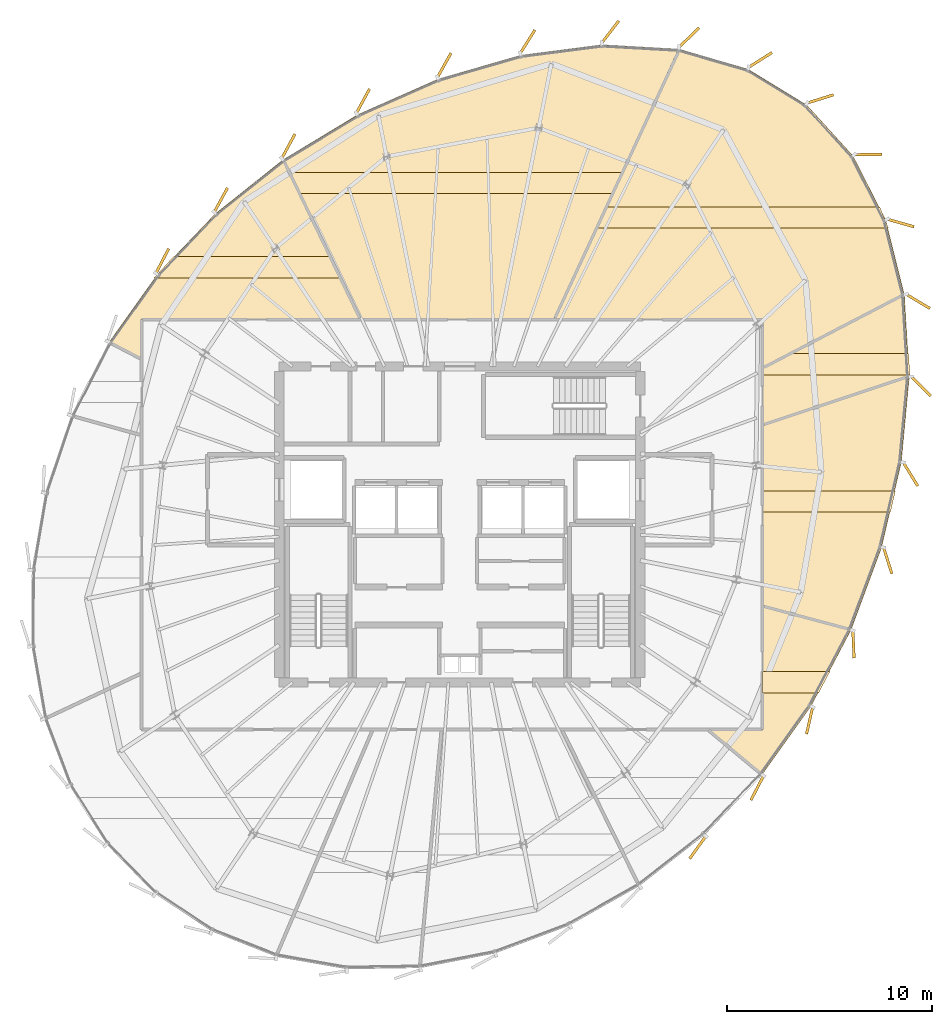
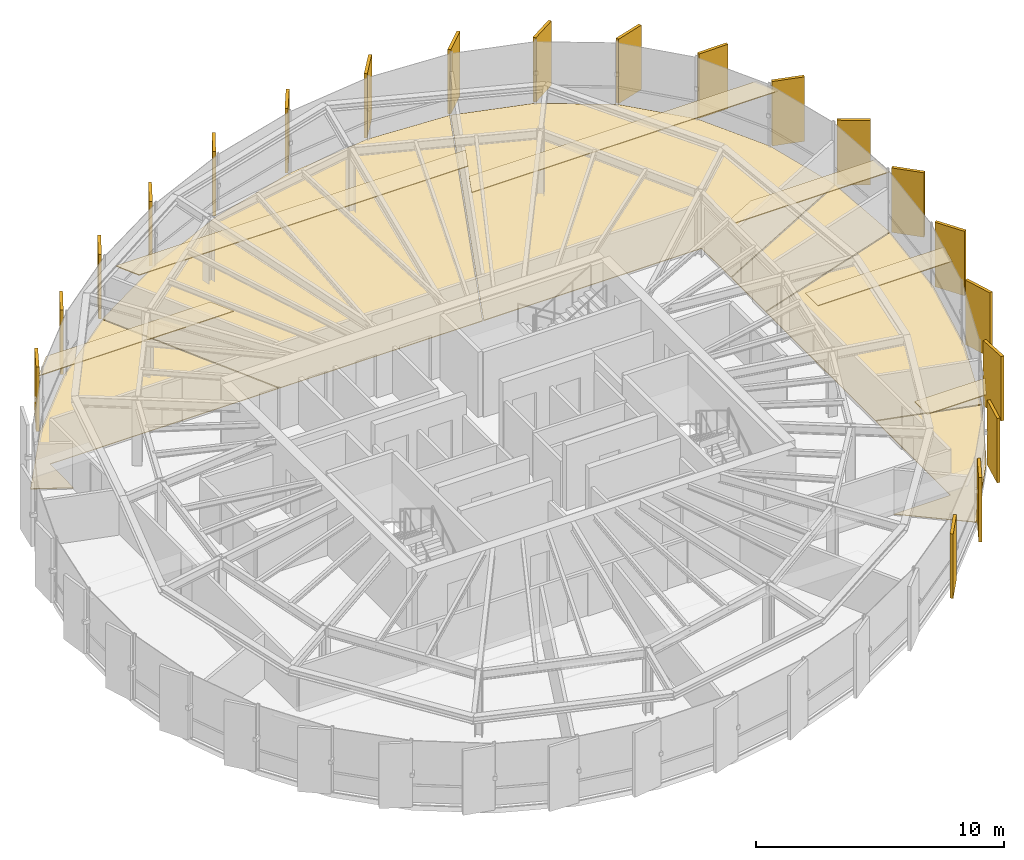
# One storey, part 33 of 33: 32 coverings.
"""IFC4 building model written with IfcOpenShell, lengths in metres."""

import ifcopenshell
import ifcopenshell.guid

model = None  # the IFC model being written
_history = None  # IfcOwnerHistory: only IFC2X3 demands one
_inside = {}  # id of a spatial element -> (the spatial element, [elements in it])
_under = {}  # id of a project, library or spatial element -> (it, [spatial elements below it])
_declared = {}  # id of a project -> (the project, [libraries it declares])
_typed = {}  # id of a type object -> (the type object, [elements of that type])
_made_of = {}  # id of a material, layer set ... -> (it, [elements and type objects made of it])


def new_model(schema):
    """Start an empty IFC model of exactly this schema.

    Asked for "IFC4X3", IfcOpenShell would pick the latest addendum, in which some entities
    have other attributes; the version numbers below select the first issue.
    IFC2X3 requires an IfcOwnerHistory on every rooted entity: one is made here for all.
    """
    global model, _history
    if schema == "IFC4X3":
        model = ifcopenshell.file(schema_version=(4, 3, 0, 0))
    else:
        model = ifcopenshell.file(schema=schema)
    _inside.clear()
    _under.clear()
    _declared.clear()
    _typed.clear()
    _made_of.clear()
    _history = None
    if model.schema == "IFC2X3":
        org = make("IfcOrganization", Name="unknown")
        user = make(
            "IfcPersonAndOrganization",
            ThePerson=make("IfcPerson", FamilyName="unknown"),
            TheOrganization=org,
        )
        app = make(
            "IfcApplication",
            ApplicationDeveloper=org,
            Version="unknown",
            ApplicationFullName="unknown",
            ApplicationIdentifier="unknown",
        )
        _history = make(
            "IfcOwnerHistory",
            OwningUser=user,
            OwningApplication=app,
            ChangeAction="ADDED",
            CreationDate=0,
        )
    return model


def make(cls, **values):
    """One entity of the class cls with the attributes given. An attribute that is None is left unset."""
    return model.create_entity(
        cls, **{name: value for name, value in values.items() if value is not None}
    )


def rooted(cls, **values):
    """An entity with a GlobalId (a new one), such as an element, a storey or a relation."""
    return make(cls, GlobalId=ifcopenshell.guid.new(), OwnerHistory=_history, **values)


def si_unit(unit_type, name, prefix=None):
    """IfcSIUnit, for example si_unit("LENGTHUNIT", "METRE", prefix="MILLI")."""
    return make("IfcSIUnit", UnitType=unit_type, Prefix=prefix, Name=name)


def assignment(units):
    """IfcUnitAssignment: the units of a project."""
    return None if units is None else make("IfcUnitAssignment", Units=units)


def point(xyz):
    """IfcCartesianPoint."""
    return None if xyz is None else make("IfcCartesianPoint", Coordinates=xyz)


def direction(xyz):
    """IfcDirection."""
    return None if xyz is None else make("IfcDirection", DirectionRatios=xyz)


def frame(location, z_axis=None, x_axis=None):
    """IfcAxis2Placement3D, a coordinate frame: its origin and axes. An axis left out is left unset."""
    return make(
        "IfcAxis2Placement3D",
        Location=point(location),
        Axis=direction(z_axis),
        RefDirection=direction(x_axis),
    )


def frame_2d(location, x_axis=None):
    """IfcAxis2Placement2D, a coordinate frame in the plane: its origin and x axis."""
    return make(
        "IfcAxis2Placement2D", Location=point(location), RefDirection=direction(x_axis)
    )


def origin():
    """The frame at (0, 0, 0) with its axes left unset."""
    return frame((0.0, 0.0, 0.0))


def origin_2d():
    """The frame at (0, 0) in the plane with its x axis left unset."""
    return frame_2d((0.0, 0.0))


def place(relative_to, where):
    """IfcLocalPlacement: puts the frame where relative to a parent placement (None: the world)."""
    return make(
        "IfcLocalPlacement", PlacementRelTo=relative_to, RelativePlacement=where
    )


def context(
    kind, dimensions, precision=None, world=None, true_north=None, identifier=None
):
    """IfcGeometricRepresentationContext, for example the 3D "Model" context."""
    return make(
        "IfcGeometricRepresentationContext",
        ContextIdentifier=identifier,
        ContextType=kind,
        CoordinateSpaceDimension=dimensions,
        Precision=precision,
        WorldCoordinateSystem=world,
        TrueNorth=true_north,
    )


def subcontext(parent, identifier, kind, view, scale=None):
    """IfcGeometricRepresentationSubContext, for example "Body" below "Model"."""
    return make(
        "IfcGeometricRepresentationSubContext",
        ContextIdentifier=identifier,
        ContextType=kind,
        ParentContext=parent,
        TargetScale=scale,
        TargetView=view,
    )


def project(units=None, contexts=None):
    """IfcProject with its units and contexts."""
    return rooted(
        "IfcProject",
        Name="project",
        RepresentationContexts=contexts,
        UnitsInContext=assignment(units),
    )


def spatial(cls, under=None, at=None, **own):
    """A site, building, storey or space (cls), placed at a placement, below another one or the project."""
    s = rooted(cls, ObjectPlacement=at, **own)
    if under is not None:
        _under.setdefault(under.id(), (under, []))[1].append(s)
    return s


def polyline(points):
    """IfcPolyline through the points."""
    return make("IfcPolyline", Points=[point(p) for p in points])


def profile(cls, at=None, kind="AREA", **sizes):
    """A parametric profile (cls). Its sizes go by their IFC names, for example OverallWidth=200.0."""
    return make(cls, ProfileType=kind, Position=at, **sizes)


def rectangle(**sizes):
    """IfcRectangleProfileDef."""
    return profile("IfcRectangleProfileDef", **sizes)


def outline(outer, holes=None, kind="AREA"):
    """IfcArbitraryClosedProfileDef: a profile drawn as a closed curve; with holes, ...WithVoids."""
    if holes is None:
        return make("IfcArbitraryClosedProfileDef", ProfileType=kind, OuterCurve=outer)
    return make(
        "IfcArbitraryProfileDefWithVoids",
        ProfileType=kind,
        OuterCurve=outer,
        InnerCurves=holes,
    )


def extrude(swept, where, along, depth):
    """IfcExtrudedAreaSolid: the profile swept, set in the frame where, extruded along a direction by depth."""
    return make(
        "IfcExtrudedAreaSolid",
        SweptArea=swept,
        Position=where,
        ExtrudedDirection=direction(along),
        Depth=depth,
    )


def shape(context_of_items, identifier, shape_type, items):
    """IfcShapeRepresentation: the items that make up one representation, for example the "Body"."""
    return make(
        "IfcShapeRepresentation",
        ContextOfItems=context_of_items,
        RepresentationIdentifier=identifier,
        RepresentationType=shape_type,
        Items=items,
    )


def source(mapping_origin, context_of_items, identifier, shape_type, items):
    """IfcRepresentationMap: a shape defined once, which mapped items show again and again."""
    return make(
        "IfcRepresentationMap",
        MappingOrigin=mapping_origin,
        MappedRepresentation=shape(context_of_items, identifier, shape_type, items),
    )


def transform(
    local_origin,
    x_axis=None,
    y_axis=None,
    z_axis=None,
    scale=None,
    scale2=None,
    scale3=None,
    uniform=True,
):
    """IfcCartesianTransformationOperator3D, or its non-uniform kind. x_axis, y_axis, z_axis: its Axis1, 2, 3."""
    if uniform:
        return make(
            "IfcCartesianTransformationOperator3D",
            Axis1=direction(x_axis),
            Axis2=direction(y_axis),
            LocalOrigin=point(local_origin),
            Scale=scale,
            Axis3=direction(z_axis),
        )
    return make(
        "IfcCartesianTransformationOperator3DnonUniform",
        Axis1=direction(x_axis),
        Axis2=direction(y_axis),
        LocalOrigin=point(local_origin),
        Scale=scale,
        Axis3=direction(z_axis),
        Scale2=scale2,
        Scale3=scale3,
    )


def mapped(mapping_source, mapping_target):
    """IfcMappedItem: shows the shape of a source again, moved by a transform."""
    return make(
        "IfcMappedItem", MappingSource=mapping_source, MappingTarget=mapping_target
    )


def material(Name=None, Category=None):
    """IfcMaterial."""
    return make("IfcMaterial", Name=Name, Category=Category)


def layer(
    of_material, thickness, ventilated=None, Name=None, Category=None, Priority=None
):
    """IfcMaterialLayer: one layer of a wall or slab, of a material (None: an air gap)."""
    return make(
        "IfcMaterialLayer",
        Material=of_material,
        LayerThickness=thickness,
        IsVentilated=ventilated,
        Name=Name,
        Category=Category,
        Priority=Priority,
    )


def layer_set(layers, Name=None):
    """IfcMaterialLayerSet."""
    return make("IfcMaterialLayerSet", MaterialLayers=layers, LayerSetName=Name)


def made_of(thing, what):
    """Note that an element or type object is made of a material, layer set ...; save() writes the relation."""
    if what is not None:
        _made_of.setdefault(what.id(), (what, []))[1].append(thing)
    return thing


def type_object(cls, material=None, **own):
    """A type object (cls), such as IfcWallType, which elements share."""
    return made_of(rooted(cls, **own), material)


def element(
    cls,
    number,
    at=None,
    inside=None,
    cuts=None,
    type_object=None,
    material=None,
    context=None,
    identifier="Body",
    shape_type=None,
    held_by="IfcProductDefinitionShape",
    body=None,
    shapes=None,
    **own,
):
    """One element of the class cls, such as IfcWall. Its Tag is "e" and its number.

    at: its placement. inside: the storey or other place that contains it. cuts: it is an
    opening in that element (IfcRelVoidsElement). A single representation is given by context,
    identifier, shape_type and body (its items); several are given by shapes. held_by: the class
    of the entity that holds the representations. save() writes the other relations.
    """
    e = rooted(cls, Tag="e%d" % number, ObjectPlacement=at, **own)
    if body is not None:
        shapes = [shape(context, identifier, shape_type, body)]
    if shapes is not None:
        e.Representation = make(held_by, Representations=shapes)
    if inside is not None:
        _inside.setdefault(inside.id(), (inside, []))[1].append(e)
    if cuts is not None:
        rooted(
            "IfcRelVoidsElement", RelatingBuildingElement=cuts, RelatedOpeningElement=e
        )
    if type_object is not None:
        _typed.setdefault(type_object.id(), (type_object, []))[1].append(e)
    return made_of(e, material)


def aggregate(whole, parts):
    """IfcRelAggregates: a whole, such as a stair, and the parts it consists of."""
    return rooted("IfcRelAggregates", RelatingObject=whole, RelatedObjects=parts)


def save(model, path):
    """Write the relations noted so far, then the file.

    IfcRelAggregates (storeys below a building ...), IfcRelContainedInSpatialStructure (elements
    in a storey), IfcRelDefinesByType, IfcRelAssociatesMaterial and IfcRelDeclares: one each for
    every whole, place, type object, material and project.
    """
    for whole, parts in _under.values():
        aggregate(whole, parts)
    for where, things in _inside.values():
        rooted(
            "IfcRelContainedInSpatialStructure",
            RelatedElements=things,
            RelatingStructure=where,
        )
    for kind, things in _typed.values():
        rooted("IfcRelDefinesByType", RelatedObjects=things, RelatingType=kind)
    for what, things in _made_of.values():
        rooted("IfcRelAssociatesMaterial", RelatedObjects=things, RelatingMaterial=what)
    for by, libraries in _declared.values():
        rooted("IfcRelDeclares", RelatingContext=by, RelatedDefinitions=libraries)
    model.write(path)


model = new_model("IFC4")

# Units and contexts
model_context = context("Model", 3, precision=1e-05, world=origin(), true_north=direction((0.0, 1.0)))
body_context = subcontext(model_context, "Body", "Model", "MODEL_VIEW")
ifc_project = project(units=[si_unit("LENGTHUNIT", "METRE"), si_unit("AREAUNIT", "SQUARE_METRE"), si_unit("VOLUMEUNIT", "CUBIC_METRE"), si_unit("PLANEANGLEUNIT", "RADIAN"), si_unit("MASSUNIT", "GRAM", prefix="KILO"), si_unit("THERMODYNAMICTEMPERATUREUNIT", "KELVIN")], contexts=[model_context])

# Site, building, storey
site_placement = place(None, origin())
site = spatial("IfcSite", under=ifc_project, at=site_placement, CompositionType="ELEMENT")
building_placement = place(site_placement, origin())
building = spatial("IfcBuilding", under=site, at=building_placement, Name="Kethvar Cultural Tower", CompositionType="ELEMENT")
storey_placement = place(building_placement, frame((0.0, 0.0, 238.75)))
storey = spatial("IfcBuildingStorey", under=building, at=storey_placement, Name="L62", CompositionType="ELEMENT", Elevation=238.75)

# Coverings
ifc_material_1 = material(Name="Acoustic Mineral Fibre Ceiling")
ifc_layer_1 = layer(ifc_material_1, 0.0400390625, Name="Acoustic Mineral Fibre Ceiling")
ifc_layer_set_1 = layer_set([ifc_layer_1], Name="Acoustic Mineral Fibre Ceiling (40 mm)")
covering_type_1 = type_object("IfcCoveringType", Name="CV-ACOUSTIC-CEIL", PredefinedType="CEILING", material=ifc_layer_set_1)
covering_1_placement = place(storey_placement, frame((0.0, 0.0, 2.889892578125)))
element("IfcCovering", 1, at=covering_1_placement, inside=storey, type_object=covering_type_1, Name="L62 Room 05 Acoustic Ceiling Panel", PredefinedType="CEILING", context=body_context, shape_type="SweptSolid", body=[
    extrude(outline(polyline([(61.5439453125, 20.627685546875), (64.8388671875, 20.627685546875), (64.29736328125, 19.59765625), (61.5439453125, 19.59765625), (61.5439453125, 20.627685546875)])), origin(), (0.0, 0.0, 1.0), 0.0400390625),
])
covering_2_placement = place(storey_placement, frame((0.0, 0.0, 2.889892578125)))
element("IfcCovering", 2, at=covering_2_placement, inside=storey, type_object=covering_type_1, Name="L62 Room 06 Acoustic Ceiling Panel", PredefinedType="CEILING", context=body_context, shape_type="SweptSolid", body=[
    extrude(outline(polyline([(67.790771484375, 28.396484375), (61.5439453125, 28.396484375), (61.5439453125, 29.426513671875), (68.029296875, 29.426513671875), (67.790771484375, 28.396484375)])), origin(), (0.0, 0.0, 1.0), 0.0400390625),
])
covering_3_placement = place(storey_placement, frame((0.0, 0.0, 2.889892578125)))
element("IfcCovering", 3, at=covering_3_placement, inside=storey, type_object=covering_type_1, Name="L62 Room 07 Acoustic Ceiling Panel", PredefinedType="CEILING", context=body_context, shape_type="SweptSolid", body=[
    extrude(outline(polyline([(61.5439453125, 35.42529296875), (62.86962890625, 36.122314453125), (68.67578125, 36.122314453125), (68.738037109375, 35.09228515625), (61.5439453125, 35.09228515625), (61.5439453125, 35.42529296875)])), origin(), (0.0, 0.0, 1.0), 0.0400390625),
])
covering_4_placement = place(storey_placement, frame((0.0, 0.0, 2.889892578125)))
element("IfcCovering", 4, at=covering_4_placement, inside=storey, type_object=covering_type_1, Name="L62 Room 08 Acoustic Ceiling Panel", PredefinedType="CEILING", context=body_context, shape_type="SweptSolid", body=[
    extrude(outline(polyline([(67.26611328125, 43.28173828125), (67.688720703125, 42.251708984375), (53.438720703125, 42.251708984375), (53.913330078125, 43.28173828125), (67.26611328125, 43.28173828125)])), origin(), (0.0, 0.0, 1.0), 0.0400390625),
])
covering_5_placement = place(storey_placement, frame((0.0, 0.0, 2.889892578125)))
element("IfcCovering", 5, at=covering_5_placement, inside=storey, type_object=covering_type_1, Name="L62 Room 09 Acoustic Ceiling Panel", PredefinedType="CEILING", context=body_context, shape_type="SweptSolid", body=[
    extrude(outline(polyline([(54.254638671875, 43.9267578125), (38.9541015625, 43.9267578125), (38.45458984375, 44.956787109375), (54.7294921875, 44.956787109375), (54.254638671875, 43.9267578125)])), origin(), (0.0, 0.0, 1.0), 0.0400390625),
])
covering_6_placement = place(storey_placement, frame((0.0, 0.0, 2.889892578125)))
element("IfcCovering", 6, at=covering_6_placement, inside=storey, type_object=covering_type_1, Name="L62 Room 10 Acoustic Ceiling Panel", PredefinedType="CEILING", context=body_context, shape_type="SweptSolid", body=[
    extrude(outline(polyline([(31.906005859375, 39.822509765625), (32.84375, 40.8525390625), (40.489990234375, 40.8525390625), (40.98974609375, 39.822509765625), (31.906005859375, 39.822509765625)])), origin(), (0.0, 0.0, 1.0), 0.0400390625),
])
ifc_material_2 = material(Name="Honed Warm Limestone", Category="masonry")
ifc_layer_2 = layer(ifc_material_2, 0.030029296875, Name="Honed Warm Limestone", Category="masonry")
ifc_layer_set_2 = layer_set([ifc_layer_2], Name="Honed Warm Limestone (30 mm)")
covering_type_2 = type_object("IfcCoveringType", Name="CV-STONE-FLOOR", PredefinedType="FLOORING", material=ifc_layer_set_2)
covering_7_placement = place(storey_placement, origin())
element("IfcCovering", 7, at=covering_7_placement, inside=storey, type_object=covering_type_2, Name="L62 Room 05 Floor Finish", PredefinedType="FLOORING", context=body_context, shape_type="SweptSolid", body=[
    extrude(outline(polyline([(63.912841796875, 18.952392578125), (61.540771484375, 15.63134765625), (58.93505859375, 17.787109375), (61.58251953125, 17.79931640625), (61.583984375, 23.7958984375), (65.8544921875, 22.6455078125), (63.912841796875, 18.952392578125)])), origin(), (0.0, 0.0, 1.0), 0.030029296875),
])
covering_8_placement = place(storey_placement, origin())
element("IfcCovering", 8, at=covering_8_placement, inside=storey, type_object=covering_type_2, Name="L62 Room 06 Floor Finish", PredefinedType="FLOORING", context=body_context, shape_type="SweptSolid", body=[
    extrude(outline(polyline([(68.31494140625, 30.837158203125), (67.35009765625, 26.671142578125), (65.871337890625, 22.682373046875), (61.583984375, 23.83740234375), (61.583984375, 32.636962890625), (68.70068359375, 34.975341796875), (68.31494140625, 30.837158203125)])), origin(), (0.0, 0.0, 1.0), 0.030029296875),
])
covering_9_placement = place(storey_placement, origin())
element("IfcCovering", 9, at=covering_9_placement, inside=storey, type_object=covering_type_2, Name="L62 Room 07 Floor Finish", PredefinedType="FLOORING", context=body_context, shape_type="SweptSolid", body=[
    extrude(outline(polyline([(68.702392578125, 35.01806640625), (61.583984375, 32.678955078125), (61.583984375, 35.4130859375), (68.463623046875, 38.966552734375), (68.702392578125, 35.01806640625)])), origin(), (0.0, 0.0, 1.0), 0.030029296875),
])
covering_10_placement = place(storey_placement, origin())
element("IfcCovering", 10, at=covering_10_placement, inside=storey, type_object=covering_type_2, Name="L62 Room 08 Floor Finish", PredefinedType="FLOORING", context=body_context, shape_type="SweptSolid", body=[
    extrude(outline(polyline([(67.552001953125, 42.6328125), (68.45849609375, 39.0087890625), (61.583984375, 35.458251953125), (61.56787109375, 37.8125), (51.43701171875, 37.81298828125), (57.49609375, 50.959716796875), (60.847900390625, 49.9853515625), (63.706298828125, 48.236083984375), (65.960205078125, 45.756103515625), (67.552001953125, 42.6328125)])), origin(), (0.0, 0.0, 1.0), 0.030029296875),
])
covering_11_placement = place(storey_placement, origin())
element("IfcCovering", 11, at=covering_11_placement, inside=storey, type_object=covering_type_2, Name="L62 Room 09 Floor Finish", PredefinedType="FLOORING", context=body_context, shape_type="SweptSolid", body=[
    extrude(outline(polyline([(41.840576171875, 47.774658203125), (45.751953125, 49.503173828125), (49.7724609375, 50.665283203125), (53.738037109375, 51.176025390625), (57.45458984375, 50.96533203125), (51.392822265625, 37.81298828125), (41.964599609375, 37.81298828125), (38.19921875, 45.57470703125), (41.840576171875, 47.774658203125)])), origin(), (0.0, 0.0, 1.0), 0.030029296875),
])
covering_12_placement = place(storey_placement, origin())
element("IfcCovering", 12, at=covering_12_placement, inside=storey, type_object=covering_type_2, Name="L62 Room 10 Floor Finish", PredefinedType="FLOORING", context=body_context, shape_type="SweptSolid", body=[
    extrude(outline(polyline([(32.071044921875, 39.98486328125), (34.90234375, 42.951904296875), (38.166259765625, 45.551025390625), (41.920166015625, 37.81298828125), (31.2861328125, 37.8125), (31.27001953125, 35.8935546875), (29.7255859375, 36.6962890625), (32.071044921875, 39.98486328125)])), origin(), (0.0, 0.0, 1.0), 0.030029296875),
])
ifc_material_3 = material(Name="Extruded Architectural Terracotta", Category="masonry")
ifc_layer_3 = layer(ifc_material_3, 0.135009765625, Name="Extruded Architectural Terracotta", Category="masonry")
ifc_layer_set_3 = layer_set([ifc_layer_3], Name="Extruded Architectural Terracotta (135 mm)")
covering_type_3 = type_object("IfcCoveringType", Name="Terracotta Facade Fin FIN-03", PredefinedType="CLADDING", material=ifc_layer_set_3)
shared_shape = source(origin(), body_context, "Body", "SweptSolid", [
    extrude(rectangle(XDim=1.35009765625, YDim=0.135009765625, at=origin_2d()), origin(), (0.0, 0.0, 1.0), 3.169921875),
])
for number, where, z_axis, x_axis, name in (
    (13, (64.37451171875, 48.539794921875, 0.02001953125), (0.0, 0.0, 1.0), (0.954448865814, 0.298374534012, 0.0), "L62 Vertical Terracotta Fin 1.1"),
    (14, (61.44921875, 50.44091796875, 0.02001953125), (0.0, 0.0, 1.0), (0.845634675521, 0.533762115138, 0.0), "L62 Vertical Terracotta Fin 1.2"),
    (15, (57.974853515625, 51.53271484375, 0.02001953125), (0.0, 0.0, 1.0), (0.71885466205, 0.695160395052, 0.0), "L62 Vertical Terracotta Fin 1.3"),
    (16, (54.138427734375, 51.810791015625, 0.02001953125), (0.0, 0.0, 1.0), (0.609315145729, 0.792928151339, 0.0), "L62 Vertical Terracotta Fin 1.4"),
    (17, (50.105224609375, 51.33349609375, 0.02001953125), (0.0, 0.0, 1.0), (0.531989852639, 0.84675072878, 0.0), "L62 Vertical Terracotta Fin 1.5"),
    (18, (46.04296875, 50.18359375, 0.02001953125), (0.0, 0.0, 1.0), (0.489230239495, 0.8721546725, 0.0), "L62 Vertical Terracotta Fin 1.6"),
    (19, (42.08056640625, 48.43603515625, 0.02001953125), (0.0, 0.0, 1.0), (0.476084726767, 0.879399416044, 0.0), "L62 Vertical Terracotta Fin 2.1"),
    (20, (38.4462890625, 46.23779296875, 0.02001953125), (0.0, 0.0, 1.0), (0.478232081533, 0.878233497535, 0.0), "L62 Vertical Terracotta Fin 2.2"),
    (21, (35.156005859375, 43.613525390625, 0.02001953125), (0.0, 0.0, 1.0), (0.48129477498, 0.876558805544, 0.0), "L62 Vertical Terracotta Fin 2.3"),
    (22, (32.302001953125, 40.642822265625, 0.02001953125), (0.0, 0.0, 1.0), (0.461593793608, 0.887091410004, 0.0), "L62 Vertical Terracotta Fin 2.4"),
    (23, (58.400634765625, 12.06103515625, 0.02001953125), (0.0, 0.0, 1.0), (-0.583541211356, -0.812083526892, 0.0), "L62 Vertical Terracotta Fin 5.3"),
    (24, (61.297607421875, 14.957275390625, 0.02001953125), (0.0, 0.0, 1.0), (-0.462367751041, -0.886688255701, 0.0), "L62 Vertical Terracotta Fin 5.4"),
    (25, (63.8505859375, 18.24658203125, 0.02001953125), (0.0, 0.0, 1.0), (-0.222569549971, -0.974916814618, 0.0), "L62 Vertical Terracotta Fin 5.5"),
    (26, (65.988525390625, 21.9560546875, 0.02001953125), (0.0, 0.0, 1.0), (0.044142481788, -0.999025245578, 0.0), "L62 Vertical Terracotta Fin 5.6"),
    (27, (67.657958984375, 26.038330078125, 0.02001953125), (0.0, 0.0, 1.0), (0.300372871173, -0.953821858768, 0.0), "L62 Vertical Terracotta Fin 6.1"),
    (28, (68.767333984375, 30.251220703125, 0.02001953125), (0.0, 0.0, 1.0), (0.522944934419, -0.85236646788, 0.0), "L62 Vertical Terracotta Fin 6.2"),
    (29, (69.281982421875, 34.532958984375, 0.02001953125), (0.0, 0.0, 1.0), (0.709324729572, -0.704881853942, 0.0), "L62 Vertical Terracotta Fin 6.3"),
    (30, (69.138916015625, 38.671630859375, 0.02001953125), (0.0, 0.0, 1.0), (0.85860221428, -0.512642407174, 0.0), "L62 Vertical Terracotta Fin 6.4"),
    (31, (68.2919921875, 42.493408203125, 0.02001953125), (0.0, 0.0, 1.0), (0.962597230403, -0.270936472296, 0.0), "L62 Vertical Terracotta Fin 6.5"),
    (32, (66.7109375, 45.830078125, 0.02001953125), (0.0, 0.0, 1.0), (0.999918835786, 0.012740558836, 0.0), "L62 Vertical Terracotta Fin 6.6"),
):
    element("IfcCovering", number, at=place(storey_placement, frame(where, z_axis=z_axis, x_axis=x_axis)), inside=storey, type_object=covering_type_3, Name=name, PredefinedType="CLADDING", context=body_context, shape_type="MappedRepresentation", body=[
        mapped(shared_shape, transform((0.0, 0.0, 0.0), scale=1.0)),
    ])

save(model, "model.ifc")
